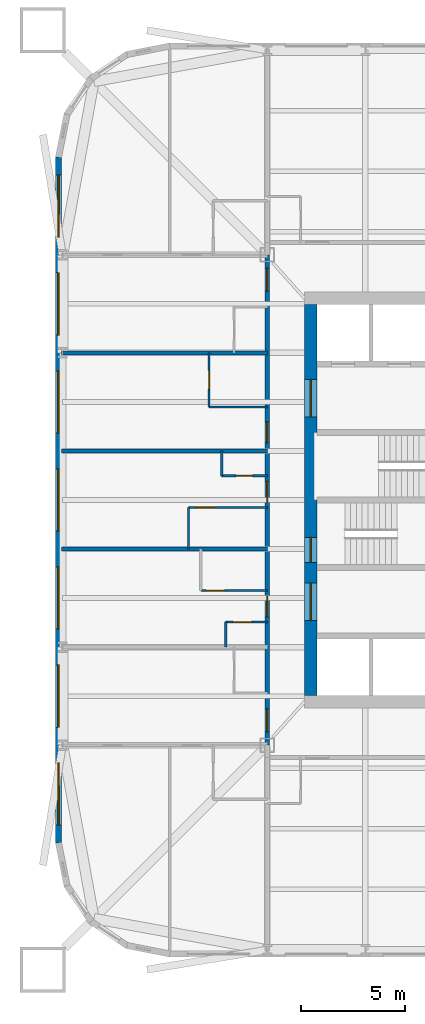
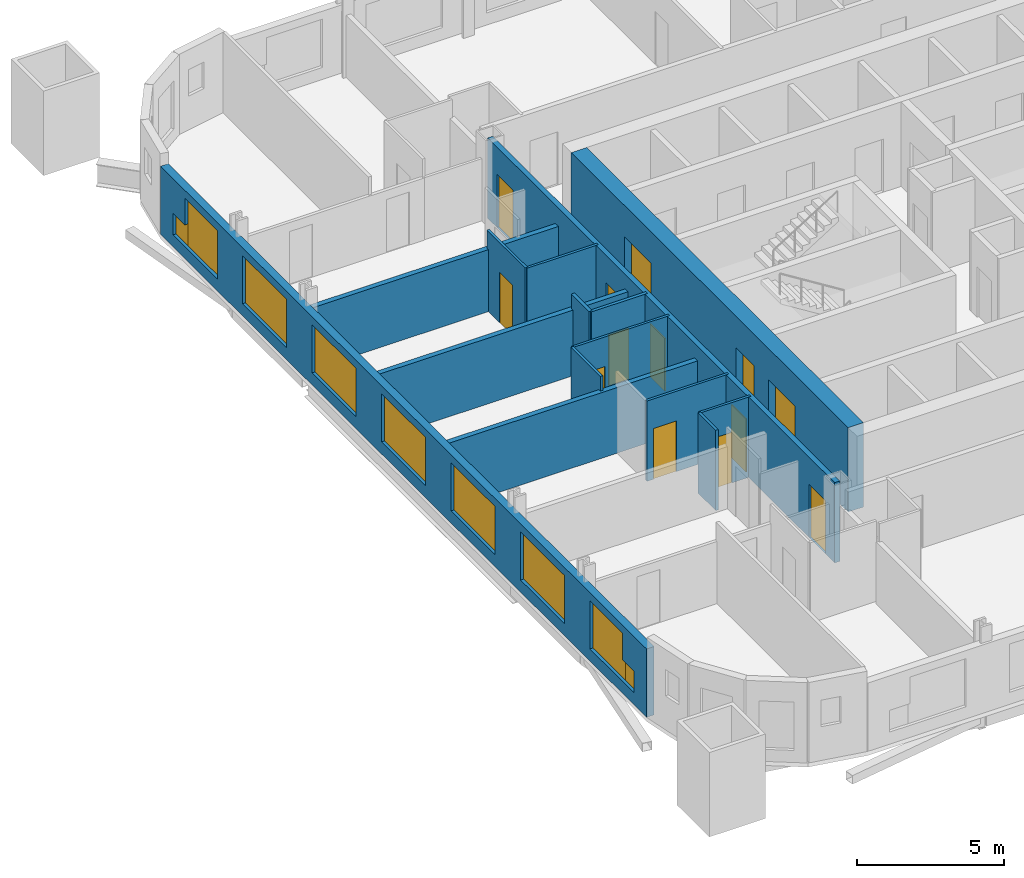
# One storey, part 4 of 10: 15 walls, 13 doors, 9 windows, 22 openings.
"""IFC4 building model written with IfcOpenShell, lengths in metres."""

import ifcopenshell
import ifcopenshell.guid

model = None  # the IFC model being written
_history = None  # IfcOwnerHistory: only IFC2X3 demands one
_inside = {}  # id of a spatial element -> (the spatial element, [elements in it])
_under = {}  # id of a project, library or spatial element -> (it, [spatial elements below it])
_declared = {}  # id of a project -> (the project, [libraries it declares])
_typed = {}  # id of a type object -> (the type object, [elements of that type])
_made_of = {}  # id of a material, layer set ... -> (it, [elements and type objects made of it])


def new_model(schema):
    """Start an empty IFC model of exactly this schema.

    Asked for "IFC4X3", IfcOpenShell would pick the latest addendum, in which some entities
    have other attributes; the version numbers below select the first issue.
    IFC2X3 requires an IfcOwnerHistory on every rooted entity: one is made here for all.
    """
    global model, _history
    if schema == "IFC4X3":
        model = ifcopenshell.file(schema_version=(4, 3, 0, 0))
    else:
        model = ifcopenshell.file(schema=schema)
    _inside.clear()
    _under.clear()
    _declared.clear()
    _typed.clear()
    _made_of.clear()
    _history = None
    if model.schema == "IFC2X3":
        org = make("IfcOrganization", Name="unknown")
        user = make(
            "IfcPersonAndOrganization",
            ThePerson=make("IfcPerson", FamilyName="unknown"),
            TheOrganization=org,
        )
        app = make(
            "IfcApplication",
            ApplicationDeveloper=org,
            Version="unknown",
            ApplicationFullName="unknown",
            ApplicationIdentifier="unknown",
        )
        _history = make(
            "IfcOwnerHistory",
            OwningUser=user,
            OwningApplication=app,
            ChangeAction="ADDED",
            CreationDate=0,
        )
    return model


def make(cls, **values):
    """One entity of the class cls with the attributes given. An attribute that is None is left unset."""
    return model.create_entity(
        cls, **{name: value for name, value in values.items() if value is not None}
    )


def rooted(cls, **values):
    """An entity with a GlobalId (a new one), such as an element, a storey or a relation."""
    return make(cls, GlobalId=ifcopenshell.guid.new(), OwnerHistory=_history, **values)


def si_unit(unit_type, name, prefix=None):
    """IfcSIUnit, for example si_unit("LENGTHUNIT", "METRE", prefix="MILLI")."""
    return make("IfcSIUnit", UnitType=unit_type, Prefix=prefix, Name=name)


def assignment(units):
    """IfcUnitAssignment: the units of a project."""
    return None if units is None else make("IfcUnitAssignment", Units=units)


def point(xyz):
    """IfcCartesianPoint."""
    return None if xyz is None else make("IfcCartesianPoint", Coordinates=xyz)


def direction(xyz):
    """IfcDirection."""
    return None if xyz is None else make("IfcDirection", DirectionRatios=xyz)


def frame(location, z_axis=None, x_axis=None):
    """IfcAxis2Placement3D, a coordinate frame: its origin and axes. An axis left out is left unset."""
    return make(
        "IfcAxis2Placement3D",
        Location=point(location),
        Axis=direction(z_axis),
        RefDirection=direction(x_axis),
    )


def frame_2d(location, x_axis=None):
    """IfcAxis2Placement2D, a coordinate frame in the plane: its origin and x axis."""
    return make(
        "IfcAxis2Placement2D", Location=point(location), RefDirection=direction(x_axis)
    )


def origin():
    """The frame at (0, 0, 0) with its axes left unset."""
    return frame((0.0, 0.0, 0.0))


def place(relative_to, where):
    """IfcLocalPlacement: puts the frame where relative to a parent placement (None: the world)."""
    return make(
        "IfcLocalPlacement", PlacementRelTo=relative_to, RelativePlacement=where
    )


def context(
    kind, dimensions, precision=None, world=None, true_north=None, identifier=None
):
    """IfcGeometricRepresentationContext, for example the 3D "Model" context."""
    return make(
        "IfcGeometricRepresentationContext",
        ContextIdentifier=identifier,
        ContextType=kind,
        CoordinateSpaceDimension=dimensions,
        Precision=precision,
        WorldCoordinateSystem=world,
        TrueNorth=true_north,
    )


def subcontext(parent, identifier, kind, view, scale=None):
    """IfcGeometricRepresentationSubContext, for example "Body" below "Model"."""
    return make(
        "IfcGeometricRepresentationSubContext",
        ContextIdentifier=identifier,
        ContextType=kind,
        ParentContext=parent,
        TargetScale=scale,
        TargetView=view,
    )


def project(units=None, contexts=None):
    """IfcProject with its units and contexts."""
    return rooted(
        "IfcProject",
        Name="project",
        RepresentationContexts=contexts,
        UnitsInContext=assignment(units),
    )


def spatial(cls, under=None, at=None, **own):
    """A site, building, storey or space (cls), placed at a placement, below another one or the project."""
    s = rooted(cls, ObjectPlacement=at, **own)
    if under is not None:
        _under.setdefault(under.id(), (under, []))[1].append(s)
    return s


def profile(cls, at=None, kind="AREA", **sizes):
    """A parametric profile (cls). Its sizes go by their IFC names, for example OverallWidth=200.0."""
    return make(cls, ProfileType=kind, Position=at, **sizes)


def rectangle(**sizes):
    """IfcRectangleProfileDef."""
    return profile("IfcRectangleProfileDef", **sizes)


def extrude(swept, where, along, depth):
    """IfcExtrudedAreaSolid: the profile swept, set in the frame where, extruded along a direction by depth."""
    return make(
        "IfcExtrudedAreaSolid",
        SweptArea=swept,
        Position=where,
        ExtrudedDirection=direction(along),
        Depth=depth,
    )


def shape(context_of_items, identifier, shape_type, items):
    """IfcShapeRepresentation: the items that make up one representation, for example the "Body"."""
    return make(
        "IfcShapeRepresentation",
        ContextOfItems=context_of_items,
        RepresentationIdentifier=identifier,
        RepresentationType=shape_type,
        Items=items,
    )


def material(Name=None, Category=None):
    """IfcMaterial."""
    return make("IfcMaterial", Name=Name, Category=Category)


def layer(
    of_material, thickness, ventilated=None, Name=None, Category=None, Priority=None
):
    """IfcMaterialLayer: one layer of a wall or slab, of a material (None: an air gap)."""
    return make(
        "IfcMaterialLayer",
        Material=of_material,
        LayerThickness=thickness,
        IsVentilated=ventilated,
        Name=Name,
        Category=Category,
        Priority=Priority,
    )


def layer_set(layers, Name=None):
    """IfcMaterialLayerSet."""
    return make("IfcMaterialLayerSet", MaterialLayers=layers, LayerSetName=Name)


def made_of(thing, what):
    """Note that an element or type object is made of a material, layer set ...; save() writes the relation."""
    if what is not None:
        _made_of.setdefault(what.id(), (what, []))[1].append(thing)
    return thing


def type_object(cls, material=None, **own):
    """A type object (cls), such as IfcWallType, which elements share."""
    return made_of(rooted(cls, **own), material)


def element(
    cls,
    number,
    at=None,
    inside=None,
    cuts=None,
    type_object=None,
    material=None,
    context=None,
    identifier="Body",
    shape_type=None,
    held_by="IfcProductDefinitionShape",
    body=None,
    shapes=None,
    **own,
):
    """One element of the class cls, such as IfcWall. Its Tag is "e" and its number.

    at: its placement. inside: the storey or other place that contains it. cuts: it is an
    opening in that element (IfcRelVoidsElement). A single representation is given by context,
    identifier, shape_type and body (its items); several are given by shapes. held_by: the class
    of the entity that holds the representations. save() writes the other relations.
    """
    e = rooted(cls, Tag="e%d" % number, ObjectPlacement=at, **own)
    if body is not None:
        shapes = [shape(context, identifier, shape_type, body)]
    if shapes is not None:
        e.Representation = make(held_by, Representations=shapes)
    if inside is not None:
        _inside.setdefault(inside.id(), (inside, []))[1].append(e)
    if cuts is not None:
        rooted(
            "IfcRelVoidsElement", RelatingBuildingElement=cuts, RelatedOpeningElement=e
        )
    if type_object is not None:
        _typed.setdefault(type_object.id(), (type_object, []))[1].append(e)
    return made_of(e, material)


def fill(opening, filler):
    """IfcRelFillsElement: the door or window that sits in an opening."""
    return rooted(
        "IfcRelFillsElement",
        RelatingOpeningElement=opening,
        RelatedBuildingElement=filler,
    )


def aggregate(whole, parts):
    """IfcRelAggregates: a whole, such as a stair, and the parts it consists of."""
    return rooted("IfcRelAggregates", RelatingObject=whole, RelatedObjects=parts)


def save(model, path):
    """Write the relations noted so far, then the file.

    IfcRelAggregates (storeys below a building ...), IfcRelContainedInSpatialStructure (elements
    in a storey), IfcRelDefinesByType, IfcRelAssociatesMaterial and IfcRelDeclares: one each for
    every whole, place, type object, material and project.
    """
    for whole, parts in _under.values():
        aggregate(whole, parts)
    for where, things in _inside.values():
        rooted(
            "IfcRelContainedInSpatialStructure",
            RelatedElements=things,
            RelatingStructure=where,
        )
    for kind, things in _typed.values():
        rooted("IfcRelDefinesByType", RelatedObjects=things, RelatingType=kind)
    for what, things in _made_of.values():
        rooted("IfcRelAssociatesMaterial", RelatedObjects=things, RelatingMaterial=what)
    for by, libraries in _declared.values():
        rooted("IfcRelDeclares", RelatingContext=by, RelatedDefinitions=libraries)
    model.write(path)


model = new_model("IFC4")

# Units and contexts
model_context = context("Model", 3, precision=1e-05, world=origin(), true_north=direction((0.0, 1.0)))
body_context = subcontext(model_context, "Body", "Model", "MODEL_VIEW")
ifc_project = project(units=[si_unit("LENGTHUNIT", "METRE"), si_unit("AREAUNIT", "SQUARE_METRE"), si_unit("VOLUMEUNIT", "CUBIC_METRE"), si_unit("PLANEANGLEUNIT", "RADIAN"), si_unit("MASSUNIT", "GRAM", prefix="KILO")], contexts=[model_context])

# Site, building, storey
site_placement = place(None, origin())
site = spatial("IfcSite", under=ifc_project, at=site_placement, CompositionType="ELEMENT")
building_placement = place(site_placement, origin())
building = spatial("IfcBuilding", under=site, at=building_placement, Name="Turquesa Mirador Hotel Tower", CompositionType="ELEMENT")
storey_placement = place(building_placement, frame((0.0, 0.0, 32.0)))
storey = spatial("IfcBuildingStorey", under=building, at=storey_placement, Name="L07", CompositionType="ELEMENT", Elevation=32.0)

# Wall, opening, door
ifc_material_1 = material(Name="Gypsum board on steel studs", Category="steel")
ifc_layer_1 = layer(ifc_material_1, 0.10009765625)
ifc_layer_set_1 = layer_set([ifc_layer_1], Name="BATHROOM WALL 100")
wall_type_1 = type_object("IfcWallType", Name="BATHROOM WALL 100", PredefinedType="PARTITIONING", material=ifc_layer_set_1)
wall_1_placement = place(storey_placement, frame((39.39990234375, 44.639892578125, 0.0), z_axis=(0.0, 0.0, 1.0), x_axis=(1.0, 0.0, 0.0)))
wall_1 = element("IfcWall", 1, at=wall_1_placement, inside=storey, type_object=wall_type_1, Name="Partition L07 001", PredefinedType="PARTITIONING", context=body_context, shape_type="SweptSolid", body=[
    extrude(rectangle(XDim=3.800048828125, YDim=0.10009765625, at=frame_2d((1.89990234375, 0.0))), origin(), (0.0, 0.0, 1.0), 3.330078125),
])
opening_1_placement = place(wall_1_placement, frame((0.35009765625, 0.0, 0.0)))
opening_1 = element("IfcOpeningElement", 2, at=opening_1_placement, cuts=wall_1, Name="Opening D02", PredefinedType="OPENING", context=body_context, shape_type="SweptSolid", body=[
    extrude(rectangle(XDim=0.89990234375, YDim=2.10009765625, at=frame_2d((0.449951171875, 1.050048828125))), frame((0.0, 0.06005859375, 0.0), z_axis=(0.0, -1.0, 0.0), x_axis=(1.0, 0.0, 0.0)), (0.0, 0.0, 1.0), 0.1201171875),
])
ifc_material_2 = material(Name="Timber veneered door", Category="wood")
door_type_1 = type_object("IfcDoorType", Name="DOOR 900X2100 EN-SUITE", OperationType="SINGLE_SWING_RIGHT", PredefinedType="DOOR", material=ifc_material_2)
door_1_placement = place(opening_1_placement, origin())
door_1 = element("IfcDoor", 3, at=door_1_placement, inside=storey, type_object=door_type_1, Name="Door 0710B", OperationType="SINGLE_SWING_RIGHT", OverallHeight=2.10009765625, OverallWidth=0.89990234375, PredefinedType="DOOR", context=body_context, shape_type="SweptSolid", body=[
    extrude(rectangle(XDim=0.89990234375, YDim=2.10009765625, at=frame_2d((0.449951171875, 1.050048828125))), frame((0.0, 0.02490234375, 0.0), z_axis=(0.0, -1.0, 0.0), x_axis=(1.0, 0.0, 0.0)), (0.0, 0.0, 1.0), 0.050048828125),
])
fill(opening_1, door_1)

wall_2_placement = place(storey_placement, frame((40.0, 40.639892578125, 0.0), z_axis=(0.0, 0.0, 1.0), x_axis=(1.0, 0.0, 0.0)))
wall_2 = element("IfcWall", 4, at=wall_2_placement, inside=storey, type_object=wall_type_1, Name="Partition L07 016", PredefinedType="PARTITIONING", context=body_context, shape_type="SweptSolid", body=[
    extrude(rectangle(XDim=3.199951171875, YDim=0.10009765625, at=frame_2d((1.60009765625, 0.0))), origin(), (0.0, 0.0, 1.0), 3.330078125),
])
opening_2_placement = place(wall_2_placement, frame((0.25, 0.0, 0.0)))
opening_2 = element("IfcOpeningElement", 5, at=opening_2_placement, cuts=wall_2, Name="Opening D02", PredefinedType="OPENING", context=body_context, shape_type="SweptSolid", body=[
    extrude(rectangle(XDim=0.89990234375, YDim=2.10009765625, at=frame_2d((0.449951171875, 1.050048828125))), frame((0.0, 0.06005859375, 0.0), z_axis=(0.0, -1.0, 0.0), x_axis=(1.0, 0.0, 0.0)), (0.0, 0.0, 1.0), 0.1201171875),
])
door_2_placement = place(opening_2_placement, origin())
door_2 = element("IfcDoor", 6, at=door_2_placement, inside=storey, type_object=door_type_1, Name="Door 0709B", OperationType="SINGLE_SWING_RIGHT", OverallHeight=2.10009765625, OverallWidth=0.89990234375, PredefinedType="DOOR", context=body_context, shape_type="SweptSolid", body=[
    extrude(rectangle(XDim=0.89990234375, YDim=2.10009765625, at=frame_2d((0.449951171875, 1.050048828125))), frame((0.0, 0.02490234375, 0.0), z_axis=(0.0, -1.0, 0.0), x_axis=(1.0, 0.0, 0.0)), (0.0, 0.0, 1.0), 0.050048828125),
])
fill(opening_2, door_2)

wall_3_placement = place(storey_placement, frame((41.199951171875, 39.1201171875, 0.0), z_axis=(0.0, 0.0, 1.0), x_axis=(1.0, 0.0, 0.0)))
wall_3 = element("IfcWall", 7, at=wall_3_placement, inside=storey, type_object=wall_type_1, Name="Partition L07 017", PredefinedType="PARTITIONING", context=body_context, shape_type="SweptSolid", body=[
    extrude(rectangle(XDim=2.0, YDim=0.10009765625, at=frame_2d((1.0, 0.0))), origin(), (0.0, 0.0, 1.0), 3.330078125),
])
opening_3_placement = place(wall_3_placement, frame((0.35009765625, 0.0, 0.0)))
opening_3 = element("IfcOpeningElement", 8, at=opening_3_placement, cuts=wall_3, Name="Opening D06", PredefinedType="OPENING", context=body_context, shape_type="SweptSolid", body=[
    extrude(rectangle(XDim=0.89990234375, YDim=2.10009765625, at=frame_2d((0.449951171875, 1.050048828125))), frame((0.0, 0.06005859375, 0.0), z_axis=(0.0, -1.0, 0.0), x_axis=(1.0, 0.0, 0.0)), (0.0, 0.0, 1.0), 0.1201171875),
])
ifc_material_3 = material(Name="Laminate door", Category="wood")
door_type_2 = type_object("IfcDoorType", Name="DOOR 900X2100 WC", OperationType="SINGLE_SWING_LEFT", PredefinedType="DOOR", material=ifc_material_3)
door_3_placement = place(opening_3_placement, origin())
door_3 = element("IfcDoor", 9, at=door_3_placement, inside=storey, type_object=door_type_2, Name="Door 0709W", OperationType="SINGLE_SWING_LEFT", OverallHeight=2.10009765625, OverallWidth=0.89990234375, PredefinedType="DOOR", context=body_context, shape_type="SweptSolid", body=[
    extrude(rectangle(XDim=0.89990234375, YDim=2.10009765625, at=frame_2d((0.449951171875, 1.050048828125))), frame((0.0, 0.02490234375, 0.0), z_axis=(0.0, -1.0, 0.0), x_axis=(1.0, 0.0, 0.0)), (0.0, 0.0, 1.0), 0.050048828125),
])
fill(opening_3, door_3)

# Walls
wall_4_placement = place(storey_placement, frame((40.39990234375, 49.47998046875, 0.0), z_axis=(0.0, 0.0, 1.0), x_axis=(1.0, 0.0, 0.0)))
element("IfcWall", 10, at=wall_4_placement, inside=storey, type_object=wall_type_1, Name="Partition L07 038", PredefinedType="PARTITIONING", context=body_context, shape_type="SweptSolid", body=[
    extrude(rectangle(XDim=2.800048828125, YDim=0.10009765625, at=frame_2d((1.39990234375, 0.0))), origin(), (0.0, 0.0, 1.0), 3.330078125),
])
wall_5_placement = place(storey_placement, frame((41.199951171875, 37.919921875, 0.0), z_axis=(0.0, 0.0, 1.0), x_axis=(0.0, 1.0, 0.0)))
element("IfcWall", 11, at=wall_5_placement, inside=storey, type_object=wall_type_1, Name="Partition L07 055", PredefinedType="PARTITIONING", context=body_context, shape_type="SweptSolid", body=[
    extrude(rectangle(XDim=1.2001953125, YDim=0.10009765625, at=frame_2d((0.60009765625, 0.0))), origin(), (0.0, 0.0, 1.0), 3.330078125),
])

# Wall, opening, door
wall_6_placement = place(storey_placement, frame((40.39990234375, 49.47998046875, 0.0), z_axis=(0.0, 0.0, 1.0), x_axis=(0.0, 1.0, 0.0)))
wall_6 = element("IfcWall", 12, at=wall_6_placement, inside=storey, type_object=wall_type_1, Name="Partition L07 059", PredefinedType="PARTITIONING", context=body_context, shape_type="SweptSolid", body=[
    extrude(rectangle(XDim=2.60009765625, YDim=0.10009765625, at=frame_2d((1.300048828125, 0.0))), origin(), (0.0, 0.0, 1.0), 3.330078125),
])
opening_4_placement = place(wall_6_placement, frame((0.85009765625, 0.0, 0.0)))
opening_4 = element("IfcOpeningElement", 13, at=opening_4_placement, cuts=wall_6, Name="Opening D02", PredefinedType="OPENING", context=body_context, shape_type="SweptSolid", body=[
    extrude(rectangle(XDim=0.89990234375, YDim=2.10009765625, at=frame_2d((0.449951171875, 1.050048828125))), frame((0.0, 0.06005859375, 0.0), z_axis=(0.0, -1.0, 0.0), x_axis=(1.0, 0.0, 0.0)), (0.0, 0.0, 1.0), 0.1201171875),
])
door_4_placement = place(opening_4_placement, origin())
door_4 = element("IfcDoor", 14, at=door_4_placement, inside=storey, type_object=door_type_1, Name="Door 0711B", OperationType="SINGLE_SWING_RIGHT", OverallHeight=2.10009765625, OverallWidth=0.89990234375, PredefinedType="DOOR", context=body_context, shape_type="SweptSolid", body=[
    extrude(rectangle(XDim=0.89990234375, YDim=2.10009765625, at=frame_2d((0.449951171875, 1.050048828125))), frame((0.0, 0.02490234375, 0.0), z_axis=(0.0, -1.0, 0.0), x_axis=(1.0, 0.0, 0.0)), (0.0, 0.0, 1.0), 0.050048828125),
])
fill(opening_4, door_4)

# Wall
wall_7_placement = place(storey_placement, frame((39.39990234375, 42.639892578125, 0.0), z_axis=(0.0, 0.0, 1.0), x_axis=(0.0, 1.0, 0.0)))
element("IfcWall", 15, at=wall_7_placement, inside=storey, type_object=wall_type_1, Name="Partition L07 061", PredefinedType="PARTITIONING", context=body_context, shape_type="SweptSolid", body=[
    extrude(rectangle(XDim=2.0, YDim=0.10009765625, at=frame_2d((1.0, 0.0))), origin(), (0.0, 0.0, 1.0), 3.330078125),
])

# Wall, openings, doors
ifc_material_4 = material(Name="Concrete C50/60", Category="concrete")
ifc_layer_2 = layer(ifc_material_4, 0.60009765625)
ifc_layer_set_2 = layer_set([ifc_layer_2], Name="CORE WALL 600")
wall_type_2 = type_object("IfcWallType", Name="CORE WALL 600", PredefinedType="SHEAR", material=ifc_layer_set_2)
wall_8_placement = place(storey_placement, frame((45.300048828125, 35.60009765625, 0.0), z_axis=(0.0, 0.0, 1.0), x_axis=(0.0, 1.0, 0.0)))
wall_8 = element("IfcWall", 16, at=wall_8_placement, inside=storey, type_object=wall_type_2, Name="Core wall W", PredefinedType="SHEAR", context=body_context, shape_type="SweptSolid", body=[
    extrude(rectangle(XDim=18.7998046875, YDim=0.60009765625, at=frame_2d((9.39990234375, 0.0))), origin(), (0.0, 0.0, 1.0), 3.5),
])
opening_5_placement = place(wall_8_placement, frame((13.39990234375, 0.0, 0.0)))
opening_5 = element("IfcOpeningElement", 17, at=opening_5_placement, cuts=wall_8, Name="Opening D04", PredefinedType="OPENING", context=body_context, shape_type="SweptSolid", body=[
    extrude(rectangle(XDim=1.800048828125, YDim=2.199951171875, at=frame_2d((0.89990234375, 1.10009765625))), frame((0.0, 0.31005859375, 0.0), z_axis=(0.0, -1.0, 0.0), x_axis=(1.0, 0.0, 0.0)), (0.0, 0.0, 1.0), 0.6201171875),
])
opening_6_placement = place(wall_8_placement, frame((3.60009765625, 0.0, 0.0)))
opening_6 = element("IfcOpeningElement", 18, at=opening_6_placement, cuts=wall_8, Name="Opening D04", PredefinedType="OPENING", context=body_context, shape_type="SweptSolid", body=[
    extrude(rectangle(XDim=1.800048828125, YDim=2.199951171875, at=frame_2d((0.89990234375, 1.10009765625))), frame((0.0, 0.31005859375, 0.0), z_axis=(0.0, -1.0, 0.0), x_axis=(1.0, 0.0, 0.0)), (0.0, 0.0, 1.0), 0.6201171875),
])
opening_7_placement = place(wall_8_placement, frame((6.39990234375, 0.0, 0.0)))
opening_7 = element("IfcOpeningElement", 19, at=opening_7_placement, cuts=wall_8, Name="Opening D03", PredefinedType="OPENING", context=body_context, shape_type="SweptSolid", body=[
    extrude(rectangle(XDim=1.199951171875, YDim=2.199951171875, at=frame_2d((0.60009765625, 1.10009765625))), frame((0.0, 0.31005859375, 0.0), z_axis=(0.0, -1.0, 0.0), x_axis=(1.0, 0.0, 0.0)), (0.0, 0.0, 1.0), 0.6201171875),
])
ifc_material_5 = material(Name="Steel fire door", Category="steel")
door_type_3 = type_object("IfcDoorType", Name="DOOR 1200X2200 STAIR", OperationType="SINGLE_SWING_LEFT", PredefinedType="DOOR", material=ifc_material_5)
door_5_placement = place(opening_7_placement, origin())
door_5 = element("IfcDoor", 20, at=door_5_placement, inside=storey, type_object=door_type_3, Name="Stair ST2 door", OperationType="SINGLE_SWING_LEFT", OverallHeight=2.199951171875, OverallWidth=1.199951171875, PredefinedType="DOOR", context=body_context, shape_type="SweptSolid", body=[
    extrude(rectangle(XDim=1.199951171875, YDim=2.199951171875, at=frame_2d((0.60009765625, 1.10009765625))), frame((0.0, 0.02490234375, 0.0), z_axis=(0.0, -1.0, 0.0), x_axis=(1.0, 0.0, 0.0)), (0.0, 0.0, 1.0), 0.050048828125),
])
fill(opening_7, door_5)
ifc_material_6 = material(Name="Steel fire door pair", Category="steel")
door_type_4 = type_object("IfcDoorType", Name="DOOR 1800X2200 PAIR", OperationType="DOUBLE_DOOR_SINGLE_SWING", PredefinedType="DOOR", material=ifc_material_6)
door_6_placement = place(opening_5_placement, origin())
door_6 = element("IfcDoor", 21, at=door_6_placement, inside=storey, type_object=door_type_4, Name="North lift lobby door", OperationType="DOUBLE_DOOR_SINGLE_SWING", OverallHeight=2.199951171875, OverallWidth=1.800048828125, PredefinedType="DOOR", context=body_context, shape_type="SweptSolid", body=[
    extrude(rectangle(XDim=1.800048828125, YDim=2.199951171875, at=frame_2d((0.89990234375, 1.10009765625))), frame((0.0, 0.02490234375, 0.0), z_axis=(0.0, -1.0, 0.0), x_axis=(1.0, 0.0, 0.0)), (0.0, 0.0, 1.0), 0.050048828125),
])
fill(opening_5, door_6)
door_7_placement = place(opening_6_placement, origin())
door_7 = element("IfcDoor", 22, at=door_7_placement, inside=storey, type_object=door_type_4, Name="South lift lobby door", OperationType="DOUBLE_DOOR_SINGLE_SWING", OverallHeight=2.199951171875, OverallWidth=1.800048828125, PredefinedType="DOOR", context=body_context, shape_type="SweptSolid", body=[
    extrude(rectangle(XDim=1.800048828125, YDim=2.199951171875, at=frame_2d((0.89990234375, 1.10009765625))), frame((0.0, 0.02490234375, 0.0), z_axis=(0.0, -1.0, 0.0), x_axis=(1.0, 0.0, 0.0)), (0.0, 0.0, 1.0), 0.050048828125),
])
fill(opening_6, door_7)

ifc_material_7 = material(Name="Fire-rated gypsum board on steel studs", Category="steel")
ifc_layer_3 = layer(ifc_material_7, 0.199951171875)
ifc_layer_set_3 = layer_set([ifc_layer_3], Name="CORRIDOR WALL 200")
wall_type_3 = type_object("IfcWallType", Name="CORRIDOR WALL 200", PredefinedType="PARTITIONING", material=ifc_layer_set_3)
wall_9_placement = place(storey_placement, frame((43.199951171875, 33.219970703125, 0.0), z_axis=(0.0, 0.0, 1.0), x_axis=(0.0, 1.0, 0.0)))
wall_9 = element("IfcWall", 23, at=wall_9_placement, inside=storey, type_object=wall_type_3, Name="Partition L07 048", PredefinedType="PARTITIONING", context=body_context, shape_type="SweptSolid", body=[
    extrude(rectangle(XDim=23.56005859375, YDim=0.199951171875, at=frame_2d((11.780029296875, 0.0))), origin(), (0.0, 0.0, 1.0), 3.330078125),
])
opening_8_placement = place(wall_9_placement, frame((6.159912109375, 0.0, 0.0)))
opening_8 = element("IfcOpeningElement", 24, at=opening_8_placement, cuts=wall_9, Name="Opening D01", PredefinedType="OPENING", context=body_context, shape_type="SweptSolid", body=[
    extrude(rectangle(XDim=1.0, YDim=2.199951171875, at=frame_2d((0.5, 1.10009765625))), frame((0.0, 0.10986328125, 0.0), z_axis=(0.0, -1.0, 0.0), x_axis=(1.0, 0.0, 0.0)), (0.0, 0.0, 1.0), 0.219970703125),
])
opening_9_placement = place(wall_9_placement, frame((11.679931640625, 0.0, 0.0)))
opening_9 = element("IfcOpeningElement", 25, at=opening_9_placement, cuts=wall_9, Name="Opening D01", PredefinedType="OPENING", context=body_context, shape_type="SweptSolid", body=[
    extrude(rectangle(XDim=1.0, YDim=2.199951171875, at=frame_2d((0.5, 1.10009765625))), frame((0.0, 0.10986328125, 0.0), z_axis=(0.0, -1.0, 0.0), x_axis=(1.0, 0.0, 0.0)), (0.0, 0.0, 1.0), 0.219970703125),
])
opening_10_placement = place(wall_9_placement, frame((14.5400390625, 0.0, 0.0)))
opening_10 = element("IfcOpeningElement", 26, at=opening_10_placement, cuts=wall_9, Name="Opening D01", PredefinedType="OPENING", context=body_context, shape_type="SweptSolid", body=[
    extrude(rectangle(XDim=1.0, YDim=2.199951171875, at=frame_2d((0.5, 1.10009765625))), frame((0.0, 0.10986328125, 0.0), z_axis=(0.0, -1.0, 0.0), x_axis=(1.0, 0.0, 0.0)), (0.0, 0.0, 1.0), 0.219970703125),
])
opening_11_placement = place(wall_9_placement, frame((21.830078125, 0.0, 0.0)))
opening_11 = element("IfcOpeningElement", 27, at=opening_11_placement, cuts=wall_9, Name="Opening D15", PredefinedType="OPENING", context=body_context, shape_type="SweptSolid", body=[
    extrude(rectangle(XDim=1.10009765625, YDim=2.199951171875, at=frame_2d((0.550048828125, 1.10009765625))), frame((0.0, 0.10986328125, 0.0), z_axis=(0.0, -1.0, 0.0), x_axis=(1.0, 0.0, 0.0)), (0.0, 0.0, 1.0), 0.219970703125),
])
opening_12_placement = place(wall_9_placement, frame((0.6298828125, 0.0, 0.0)))
opening_12 = element("IfcOpeningElement", 28, at=opening_12_placement, cuts=wall_9, Name="Opening D15", PredefinedType="OPENING", context=body_context, shape_type="SweptSolid", body=[
    extrude(rectangle(XDim=1.10009765625, YDim=2.199951171875, at=frame_2d((0.550048828125, 1.10009765625))), frame((0.0, 0.10986328125, 0.0), z_axis=(0.0, -1.0, 0.0), x_axis=(1.0, 0.0, 0.0)), (0.0, 0.0, 1.0), 0.219970703125),
])
ifc_material_8 = material(Name="Timber veneered fire door", Category="wood")
door_type_5 = type_object("IfcDoorType", Name="DOOR 1000X2200 GUEST ENTRY", OperationType="SINGLE_SWING_LEFT", PredefinedType="DOOR", material=ifc_material_8)
door_8_placement = place(opening_8_placement, origin())
door_8 = element("IfcDoor", 29, at=door_8_placement, inside=storey, type_object=door_type_5, Name="Door 0709", OperationType="SINGLE_SWING_LEFT", OverallHeight=2.199951171875, OverallWidth=1.0, PredefinedType="DOOR", context=body_context, shape_type="SweptSolid", body=[
    extrude(rectangle(XDim=1.0, YDim=2.199951171875, at=frame_2d((0.5, 1.10009765625))), frame((0.0, 0.02490234375, 0.0), z_axis=(0.0, -1.0, 0.0), x_axis=(1.0, 0.0, 0.0)), (0.0, 0.0, 1.0), 0.050048828125),
])
fill(opening_8, door_8)
door_9_placement = place(opening_9_placement, origin())
door_9 = element("IfcDoor", 30, at=door_9_placement, inside=storey, type_object=door_type_5, Name="Door 0710", OperationType="SINGLE_SWING_LEFT", OverallHeight=2.199951171875, OverallWidth=1.0, PredefinedType="DOOR", context=body_context, shape_type="SweptSolid", body=[
    extrude(rectangle(XDim=1.0, YDim=2.199951171875, at=frame_2d((0.5, 1.10009765625))), frame((0.0, 0.02490234375, 0.0), z_axis=(0.0, -1.0, 0.0), x_axis=(1.0, 0.0, 0.0)), (0.0, 0.0, 1.0), 0.050048828125),
])
fill(opening_9, door_9)
door_10_placement = place(opening_10_placement, origin())
door_10 = element("IfcDoor", 31, at=door_10_placement, inside=storey, type_object=door_type_5, Name="Door 0711", OperationType="SINGLE_SWING_LEFT", OverallHeight=2.199951171875, OverallWidth=1.0, PredefinedType="DOOR", context=body_context, shape_type="SweptSolid", body=[
    extrude(rectangle(XDim=1.0, YDim=2.199951171875, at=frame_2d((0.5, 1.10009765625))), frame((0.0, 0.02490234375, 0.0), z_axis=(0.0, -1.0, 0.0), x_axis=(1.0, 0.0, 0.0)), (0.0, 0.0, 1.0), 0.050048828125),
])
fill(opening_10, door_10)
ifc_material_9 = material(Name="Timber veneered fire door", Category="wood")
door_type_6 = type_object("IfcDoorType", Name="DOOR 1100X2200 SUITE ENTRY", OperationType="SINGLE_SWING_LEFT", PredefinedType="DOOR", material=ifc_material_9)
door_11_placement = place(opening_11_placement, origin())
door_11 = element("IfcDoor", 32, at=door_11_placement, inside=storey, type_object=door_type_6, Name="Door 0713", OperationType="SINGLE_SWING_LEFT", OverallHeight=2.199951171875, OverallWidth=1.10009765625, PredefinedType="DOOR", context=body_context, shape_type="SweptSolid", body=[
    extrude(rectangle(XDim=1.10009765625, YDim=2.199951171875, at=frame_2d((0.550048828125, 1.10009765625))), frame((0.0, 0.02490234375, 0.0), z_axis=(0.0, -1.0, 0.0), x_axis=(1.0, 0.0, 0.0)), (0.0, 0.0, 1.0), 0.050048828125),
])
fill(opening_11, door_11)
door_12_placement = place(opening_12_placement, origin())
door_12 = element("IfcDoor", 33, at=door_12_placement, inside=storey, type_object=door_type_6, Name="Door 0714", OperationType="SINGLE_SWING_LEFT", OverallHeight=2.199951171875, OverallWidth=1.10009765625, PredefinedType="DOOR", context=body_context, shape_type="SweptSolid", body=[
    extrude(rectangle(XDim=1.10009765625, YDim=2.199951171875, at=frame_2d((0.550048828125, 1.10009765625))), frame((0.0, 0.02490234375, 0.0), z_axis=(0.0, -1.0, 0.0), x_axis=(1.0, 0.0, 0.0)), (0.0, 0.0, 1.0), 0.050048828125),
])
fill(opening_12, door_12)

# Wall, openings, windows
ifc_material_10 = material(Name="Limestone cladding on concrete block", Category="masonry")
ifc_layer_4 = layer(ifc_material_10, 0.300048828125)
ifc_layer_set_4 = layer_set([ifc_layer_4], Name="FACADE WALL 300 STONE SCREEN")
wall_type_4 = type_object("IfcWallType", Name="FACADE WALL 300 STONE SCREEN", PredefinedType="SOLIDWALL", material=ifc_layer_set_4)
wall_10_placement = place(storey_placement, frame((33.14990234375, 61.5, 0.0), z_axis=(0.0, 0.0, 1.0), x_axis=(0.0, -1.0, 0.0)))
wall_10 = element("IfcWall", 34, at=wall_10_placement, inside=storey, type_object=wall_type_4, Name="Facade wall L07 14", PredefinedType="SOLIDWALL", context=body_context, shape_type="SweptSolid", body=[
    extrude(rectangle(XDim=33.0, YDim=0.300048828125, at=frame_2d((16.5, 0.0))), origin(), (0.0, 0.0, 1.0), 2.830078125),
])
opening_13_placement = place(wall_10_placement, frame((1.64990234375, 0.0, 0.5)))
opening_13 = element("IfcOpeningElement", 35, at=opening_13_placement, cuts=wall_10, Name="Opening WN50", PredefinedType="OPENING", context=body_context, shape_type="SweptSolid", body=[
    extrude(rectangle(XDim=2.199951171875, YDim=2.0, at=frame_2d((1.10009765625, 1.0))), frame((0.0, 0.159912109375, 0.0), z_axis=(0.0, -1.0, 0.0), x_axis=(1.0, 0.0, 0.0)), (0.0, 0.0, 1.0), 0.320068359375),
])
opening_14_placement = place(wall_10_placement, frame((5.56005859375, 0.0, 0.5)))
opening_14 = element("IfcOpeningElement", 36, at=opening_14_placement, cuts=wall_10, Name="Opening WN1", PredefinedType="OPENING", context=body_context, shape_type="SweptSolid", body=[
    extrude(rectangle(XDim=3.0, YDim=2.0, at=frame_2d((1.5, 1.0))), frame((0.0, 0.159912109375, 0.0), z_axis=(0.0, -1.0, 0.0), x_axis=(1.0, 0.0, 0.0)), (0.0, 0.0, 1.0), 0.320068359375),
])
opening_15_placement = place(wall_10_placement, frame((10.280029296875, 0.0, 0.5)))
opening_15 = element("IfcOpeningElement", 37, at=opening_15_placement, cuts=wall_10, Name="Opening WN1", PredefinedType="OPENING", context=body_context, shape_type="SweptSolid", body=[
    extrude(rectangle(XDim=3.0, YDim=2.0, at=frame_2d((1.5, 1.0))), frame((0.0, 0.159912109375, 0.0), z_axis=(0.0, -1.0, 0.0), x_axis=(1.0, 0.0, 0.0)), (0.0, 0.0, 1.0), 0.320068359375),
])
opening_16_placement = place(wall_10_placement, frame((15.0, 0.0, 0.5)))
opening_16 = element("IfcOpeningElement", 38, at=opening_16_placement, cuts=wall_10, Name="Opening WN1", PredefinedType="OPENING", context=body_context, shape_type="SweptSolid", body=[
    extrude(rectangle(XDim=3.0, YDim=2.0, at=frame_2d((1.5, 1.0))), frame((0.0, 0.159912109375, 0.0), z_axis=(0.0, -1.0, 0.0), x_axis=(1.0, 0.0, 0.0)), (0.0, 0.0, 1.0), 0.320068359375),
])
opening_17_placement = place(wall_10_placement, frame((19.719970703125, 0.0, 0.5)))
opening_17 = element("IfcOpeningElement", 39, at=opening_17_placement, cuts=wall_10, Name="Opening WN1", PredefinedType="OPENING", context=body_context, shape_type="SweptSolid", body=[
    extrude(rectangle(XDim=3.0, YDim=2.0, at=frame_2d((1.5, 1.0))), frame((0.0, 0.159912109375, 0.0), z_axis=(0.0, -1.0, 0.0), x_axis=(1.0, 0.0, 0.0)), (0.0, 0.0, 1.0), 0.320068359375),
])
opening_18_placement = place(wall_10_placement, frame((24.43994140625, 0.0, 0.5)))
opening_18 = element("IfcOpeningElement", 40, at=opening_18_placement, cuts=wall_10, Name="Opening WN1", PredefinedType="OPENING", context=body_context, shape_type="SweptSolid", body=[
    extrude(rectangle(XDim=3.0, YDim=2.0, at=frame_2d((1.5, 1.0))), frame((0.0, 0.159912109375, 0.0), z_axis=(0.0, -1.0, 0.0), x_axis=(1.0, 0.0, 0.0)), (0.0, 0.0, 1.0), 0.320068359375),
])
opening_19_placement = place(wall_10_placement, frame((29.14990234375, 0.0, 0.5)))
opening_19 = element("IfcOpeningElement", 41, at=opening_19_placement, cuts=wall_10, Name="Opening WN50", PredefinedType="OPENING", context=body_context, shape_type="SweptSolid", body=[
    extrude(rectangle(XDim=2.199951171875, YDim=2.0, at=frame_2d((1.10009765625, 1.0))), frame((0.0, 0.159912109375, 0.0), z_axis=(0.0, -1.0, 0.0), x_axis=(1.0, 0.0, 0.0)), (0.0, 0.0, 1.0), 0.320068359375),
])
opening_20_placement = place(wall_10_placement, frame((0.85009765625, 0.0, 0.5)))
opening_20 = element("IfcOpeningElement", 42, at=opening_20_placement, cuts=wall_10, Name="Opening WN35", PredefinedType="OPENING", context=body_context, shape_type="SweptSolid", body=[
    extrude(rectangle(XDim=0.800048828125, YDim=0.89990234375, at=frame_2d((0.39990234375, 0.449951171875))), frame((0.0, 0.159912109375, 0.0), z_axis=(0.0, -1.0, 0.0), x_axis=(1.0, 0.0, 0.0)), (0.0, 0.0, 1.0), 0.320068359375),
])
opening_21_placement = place(wall_10_placement, frame((31.35009765625, 0.0, 0.5)))
opening_21 = element("IfcOpeningElement", 43, at=opening_21_placement, cuts=wall_10, Name="Opening WN35", PredefinedType="OPENING", context=body_context, shape_type="SweptSolid", body=[
    extrude(rectangle(XDim=0.800048828125, YDim=0.89990234375, at=frame_2d((0.39990234375, 0.449951171875))), frame((0.0, 0.159912109375, 0.0), z_axis=(0.0, -1.0, 0.0), x_axis=(1.0, 0.0, 0.0)), (0.0, 0.0, 1.0), 0.320068359375),
])
ifc_material_11 = material(Name="Ceramic-fritted laminated glass", Category="glass")
window_type_1 = type_object("IfcWindowType", Name="FRITTED WINDOW 2200X2000", PartitioningType="DOUBLE_PANEL_HORIZONTAL", PredefinedType="WINDOW", material=ifc_material_11)
window_1_placement = place(opening_13_placement, origin())
window_1 = element("IfcWindow", 44, at=window_1_placement, inside=storey, type_object=window_type_1, Name="Window L07", OverallHeight=2.0, OverallWidth=2.199951171875, PartitioningType="SINGLE_PANEL", PredefinedType="WINDOW", context=body_context, shape_type="SweptSolid", body=[
    extrude(rectangle(XDim=2.199951171875, YDim=2.0, at=frame_2d((1.10009765625, 1.0))), frame((0.0, 0.030029296875, 0.0), z_axis=(0.0, -1.0, 0.0), x_axis=(1.0, 0.0, 0.0)), (0.0, 0.0, 1.0), 0.06005859375),
])
fill(opening_13, window_1)
window_2_placement = place(opening_19_placement, origin())
window_2 = element("IfcWindow", 45, at=window_2_placement, inside=storey, type_object=window_type_1, Name="Window L07", OverallHeight=2.0, OverallWidth=2.199951171875, PartitioningType="SINGLE_PANEL", PredefinedType="WINDOW", context=body_context, shape_type="SweptSolid", body=[
    extrude(rectangle(XDim=2.199951171875, YDim=2.0, at=frame_2d((1.10009765625, 1.0))), frame((0.0, 0.030029296875, 0.0), z_axis=(0.0, -1.0, 0.0), x_axis=(1.0, 0.0, 0.0)), (0.0, 0.0, 1.0), 0.06005859375),
])
fill(opening_19, window_2)
ifc_material_12 = material(Name="Ceramic-fritted laminated glass", Category="glass")
window_type_2 = type_object("IfcWindowType", Name="FRITTED WINDOW 3000X2000", PartitioningType="DOUBLE_PANEL_HORIZONTAL", PredefinedType="WINDOW", material=ifc_material_12)
window_3_placement = place(opening_14_placement, origin())
window_3 = element("IfcWindow", 46, at=window_3_placement, inside=storey, type_object=window_type_2, Name="Window L07", OverallHeight=2.0, OverallWidth=3.0, PartitioningType="SINGLE_PANEL", PredefinedType="WINDOW", context=body_context, shape_type="SweptSolid", body=[
    extrude(rectangle(XDim=3.0, YDim=2.0, at=frame_2d((1.5, 1.0))), frame((0.0, 0.030029296875, 0.0), z_axis=(0.0, -1.0, 0.0), x_axis=(1.0, 0.0, 0.0)), (0.0, 0.0, 1.0), 0.06005859375),
])
fill(opening_14, window_3)
window_4_placement = place(opening_15_placement, origin())
window_4 = element("IfcWindow", 47, at=window_4_placement, inside=storey, type_object=window_type_2, Name="Window L07", OverallHeight=2.0, OverallWidth=3.0, PartitioningType="SINGLE_PANEL", PredefinedType="WINDOW", context=body_context, shape_type="SweptSolid", body=[
    extrude(rectangle(XDim=3.0, YDim=2.0, at=frame_2d((1.5, 1.0))), frame((0.0, 0.030029296875, 0.0), z_axis=(0.0, -1.0, 0.0), x_axis=(1.0, 0.0, 0.0)), (0.0, 0.0, 1.0), 0.06005859375),
])
fill(opening_15, window_4)
window_5_placement = place(opening_16_placement, origin())
window_5 = element("IfcWindow", 48, at=window_5_placement, inside=storey, type_object=window_type_2, Name="Window L07", OverallHeight=2.0, OverallWidth=3.0, PartitioningType="SINGLE_PANEL", PredefinedType="WINDOW", context=body_context, shape_type="SweptSolid", body=[
    extrude(rectangle(XDim=3.0, YDim=2.0, at=frame_2d((1.5, 1.0))), frame((0.0, 0.030029296875, 0.0), z_axis=(0.0, -1.0, 0.0), x_axis=(1.0, 0.0, 0.0)), (0.0, 0.0, 1.0), 0.06005859375),
])
fill(opening_16, window_5)
window_6_placement = place(opening_17_placement, origin())
window_6 = element("IfcWindow", 49, at=window_6_placement, inside=storey, type_object=window_type_2, Name="Window L07", OverallHeight=2.0, OverallWidth=3.0, PartitioningType="SINGLE_PANEL", PredefinedType="WINDOW", context=body_context, shape_type="SweptSolid", body=[
    extrude(rectangle(XDim=3.0, YDim=2.0, at=frame_2d((1.5, 1.0))), frame((0.0, 0.030029296875, 0.0), z_axis=(0.0, -1.0, 0.0), x_axis=(1.0, 0.0, 0.0)), (0.0, 0.0, 1.0), 0.06005859375),
])
fill(opening_17, window_6)
window_7_placement = place(opening_18_placement, origin())
window_7 = element("IfcWindow", 50, at=window_7_placement, inside=storey, type_object=window_type_2, Name="Window L07", OverallHeight=2.0, OverallWidth=3.0, PartitioningType="SINGLE_PANEL", PredefinedType="WINDOW", context=body_context, shape_type="SweptSolid", body=[
    extrude(rectangle(XDim=3.0, YDim=2.0, at=frame_2d((1.5, 1.0))), frame((0.0, 0.030029296875, 0.0), z_axis=(0.0, -1.0, 0.0), x_axis=(1.0, 0.0, 0.0)), (0.0, 0.0, 1.0), 0.06005859375),
])
fill(opening_18, window_7)
ifc_material_13 = material(Name="Ceramic-fritted laminated glass", Category="glass")
window_type_3 = type_object("IfcWindowType", Name="FRITTED WINDOW 800X900", PartitioningType="DOUBLE_PANEL_HORIZONTAL", PredefinedType="WINDOW", material=ifc_material_13)
window_8_placement = place(opening_20_placement, origin())
window_8 = element("IfcWindow", 51, at=window_8_placement, inside=storey, type_object=window_type_3, Name="Window L07", OverallHeight=0.89990234375, OverallWidth=0.800048828125, PartitioningType="SINGLE_PANEL", PredefinedType="WINDOW", context=body_context, shape_type="SweptSolid", body=[
    extrude(rectangle(XDim=0.800048828125, YDim=0.89990234375, at=frame_2d((0.39990234375, 0.449951171875))), frame((0.0, 0.030029296875, 0.0), z_axis=(0.0, -1.0, 0.0), x_axis=(1.0, 0.0, 0.0)), (0.0, 0.0, 1.0), 0.06005859375),
])
fill(opening_20, window_8)
window_9_placement = place(opening_21_placement, origin())
window_9 = element("IfcWindow", 52, at=window_9_placement, inside=storey, type_object=window_type_3, Name="Window L07", OverallHeight=0.89990234375, OverallWidth=0.800048828125, PartitioningType="SINGLE_PANEL", PredefinedType="WINDOW", context=body_context, shape_type="SweptSolid", body=[
    extrude(rectangle(XDim=0.800048828125, YDim=0.89990234375, at=frame_2d((0.39990234375, 0.449951171875))), frame((0.0, 0.030029296875, 0.0), z_axis=(0.0, -1.0, 0.0), x_axis=(1.0, 0.0, 0.0)), (0.0, 0.0, 1.0), 0.06005859375),
])
fill(opening_21, window_9)

# Walls
ifc_material_14 = material(Name="Fire-rated gypsum board on steel studs", Category="steel")
ifc_layer_5 = layer(ifc_material_14, 0.199951171875)
ifc_layer_set_5 = layer_set([ifc_layer_5], Name="PARTY WALL 200")
wall_type_5 = type_object("IfcWallType", Name="PARTY WALL 200", PredefinedType="PARTITIONING", material=ifc_layer_set_5)
for number, where, z_axis, x_axis, name in (
    (53, (33.300048828125, 42.639892578125, 0.0), (0.0, 0.0, 1.0), (1.0, 0.0, 0.0), "Partition L07 013"),
    (54, (33.300048828125, 47.360107421875, 0.0), (0.0, 0.0, 1.0), (1.0, 0.0, 0.0), "Partition L07 037"),
):
    element("IfcWall", number, at=place(storey_placement, frame(where, z_axis=z_axis, x_axis=x_axis)), inside=storey, type_object=wall_type_5, Name=name, PredefinedType="PARTITIONING", context=body_context, shape_type="SweptSolid", body=[
        extrude(rectangle(XDim=9.89990234375, YDim=0.199951171875, at=frame_2d((4.949951171875, 0.0))), origin(), (0.0, 0.0, 1.0), 2.722900390625),
    ])
wall_11_placement = place(storey_placement, frame((33.300048828125, 52.080078125, 0.0), z_axis=(0.0, 0.0, 1.0), x_axis=(1.0, 0.0, 0.0)))
element("IfcWall", 55, at=wall_11_placement, inside=storey, type_object=wall_type_5, Name="Partition L07 040", PredefinedType="PARTITIONING", context=body_context, shape_type="SweptSolid", body=[
    extrude(rectangle(XDim=9.89990234375, YDim=0.199951171875, at=frame_2d((4.949951171875, 0.0))), origin(), (0.0, 0.0, 1.0), 2.572998046875),
])

# Wall, opening, door
ifc_material_15 = material(Name="Acoustic gypsum board on steel studs", Category="steel")
ifc_layer_6 = layer(ifc_material_15, 0.125)
ifc_layer_set_6 = layer_set([ifc_layer_6], Name="SUITE PARTITION 125")
wall_type_6 = type_object("IfcWallType", Name="SUITE PARTITION 125", PredefinedType="PARTITIONING", material=ifc_layer_set_6)
wall_12_placement = place(storey_placement, frame((41.0, 46.159912109375, 0.0), z_axis=(0.0, 0.0, 1.0), x_axis=(1.0, 0.0, 0.0)))
wall_12 = element("IfcWall", 56, at=wall_12_placement, inside=storey, type_object=wall_type_6, Name="Partition L07 023", PredefinedType="PARTITIONING", context=body_context, shape_type="SweptSolid", body=[
    extrude(rectangle(XDim=2.199951171875, YDim=0.125, at=frame_2d((1.10009765625, 0.0))), origin(), (0.0, 0.0, 1.0), 3.330078125),
])
opening_22_placement = place(wall_12_placement, frame((0.699951171875, 0.0, 0.0)))
opening_22 = element("IfcOpeningElement", 57, at=opening_22_placement, cuts=wall_12, Name="Opening D20", PredefinedType="OPENING", context=body_context, shape_type="SweptSolid", body=[
    extrude(rectangle(XDim=0.800048828125, YDim=2.10009765625, at=frame_2d((0.39990234375, 1.050048828125))), frame((0.0, 0.072509765625, 0.0), z_axis=(0.0, -1.0, 0.0), x_axis=(1.0, 0.0, 0.0)), (0.0, 0.0, 1.0), 0.14501953125),
])
ifc_material_16 = material(Name="Timber veneered sliding door", Category="wood")
door_type_7 = type_object("IfcDoorType", Name="DOOR 800X2100 WARDROBE", OperationType="SLIDING_TO_LEFT", PredefinedType="DOOR", material=ifc_material_16)
door_13_placement = place(opening_22_placement, origin())
door_13 = element("IfcDoor", 58, at=door_13_placement, inside=storey, type_object=door_type_7, Name="Door 0710W", OperationType="SLIDING_TO_LEFT", OverallHeight=2.10009765625, OverallWidth=0.800048828125, PredefinedType="DOOR", context=body_context, shape_type="SweptSolid", body=[
    extrude(rectangle(XDim=0.800048828125, YDim=2.10009765625, at=frame_2d((0.39990234375, 1.050048828125))), frame((0.0, 0.02490234375, 0.0), z_axis=(0.0, -1.0, 0.0), x_axis=(1.0, 0.0, 0.0)), (0.0, 0.0, 1.0), 0.050048828125),
])
fill(opening_22, door_13)

# Wall
wall_13_placement = place(storey_placement, frame((41.0, 46.159912109375, 0.0), z_axis=(0.0, 0.0, 1.0), x_axis=(0.0, 1.0, 0.0)))
element("IfcWall", 59, at=wall_13_placement, inside=storey, type_object=wall_type_6, Name="Partition L07 056", PredefinedType="PARTITIONING", context=body_context, shape_type="SweptSolid", body=[
    extrude(rectangle(XDim=1.2001953125, YDim=0.125, at=frame_2d((0.60009765625, 0.0))), origin(), (0.0, 0.0, 1.0), 3.330078125),
])

save(model, "model.ifc")
